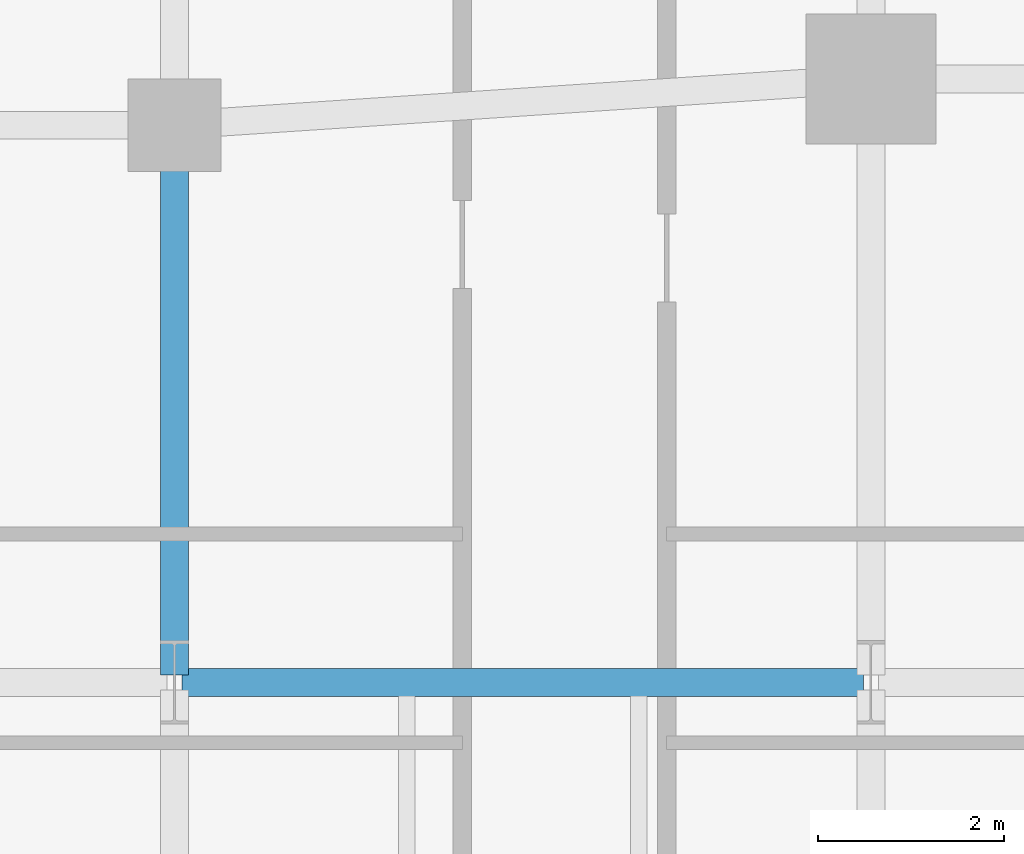
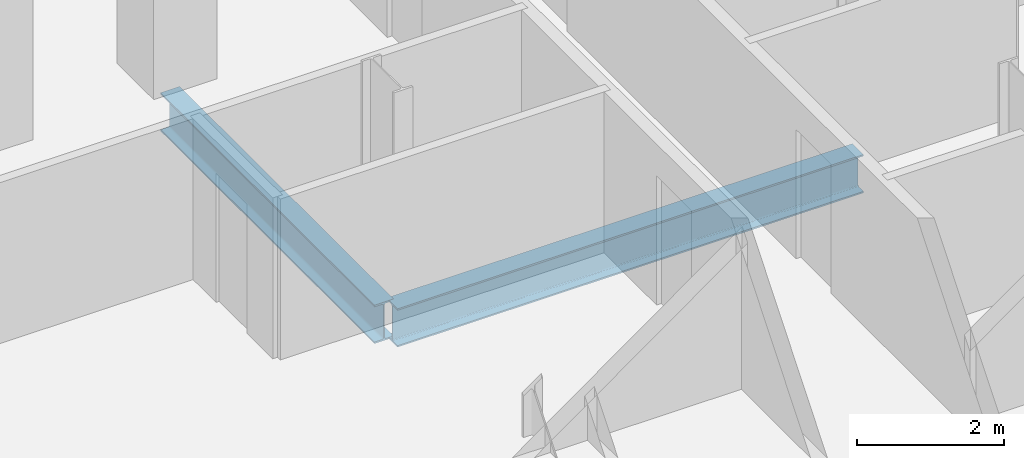
# One storey, part 9 of 32: 2 beams.
"""IFC4 building model written with IfcOpenShell, lengths in metres."""

import ifcopenshell
import ifcopenshell.guid

model = None  # the IFC model being written
_history = None  # IfcOwnerHistory: only IFC2X3 demands one
_inside = {}  # id of a spatial element -> (the spatial element, [elements in it])
_under = {}  # id of a project, library or spatial element -> (it, [spatial elements below it])
_declared = {}  # id of a project -> (the project, [libraries it declares])
_typed = {}  # id of a type object -> (the type object, [elements of that type])
_made_of = {}  # id of a material, layer set ... -> (it, [elements and type objects made of it])


def new_model(schema):
    """Start an empty IFC model of exactly this schema.

    Asked for "IFC4X3", IfcOpenShell would pick the latest addendum, in which some entities
    have other attributes; the version numbers below select the first issue.
    IFC2X3 requires an IfcOwnerHistory on every rooted entity: one is made here for all.
    """
    global model, _history
    if schema == "IFC4X3":
        model = ifcopenshell.file(schema_version=(4, 3, 0, 0))
    else:
        model = ifcopenshell.file(schema=schema)
    _inside.clear()
    _under.clear()
    _declared.clear()
    _typed.clear()
    _made_of.clear()
    _history = None
    if model.schema == "IFC2X3":
        org = make("IfcOrganization", Name="unknown")
        user = make(
            "IfcPersonAndOrganization",
            ThePerson=make("IfcPerson", FamilyName="unknown"),
            TheOrganization=org,
        )
        app = make(
            "IfcApplication",
            ApplicationDeveloper=org,
            Version="unknown",
            ApplicationFullName="unknown",
            ApplicationIdentifier="unknown",
        )
        _history = make(
            "IfcOwnerHistory",
            OwningUser=user,
            OwningApplication=app,
            ChangeAction="ADDED",
            CreationDate=0,
        )
    return model


def make(cls, **values):
    """One entity of the class cls with the attributes given. An attribute that is None is left unset."""
    return model.create_entity(
        cls, **{name: value for name, value in values.items() if value is not None}
    )


def rooted(cls, **values):
    """An entity with a GlobalId (a new one), such as an element, a storey or a relation."""
    return make(cls, GlobalId=ifcopenshell.guid.new(), OwnerHistory=_history, **values)


def si_unit(unit_type, name, prefix=None):
    """IfcSIUnit, for example si_unit("LENGTHUNIT", "METRE", prefix="MILLI")."""
    return make("IfcSIUnit", UnitType=unit_type, Prefix=prefix, Name=name)


def assignment(units):
    """IfcUnitAssignment: the units of a project."""
    return None if units is None else make("IfcUnitAssignment", Units=units)


def point(xyz):
    """IfcCartesianPoint."""
    return None if xyz is None else make("IfcCartesianPoint", Coordinates=xyz)


def direction(xyz):
    """IfcDirection."""
    return None if xyz is None else make("IfcDirection", DirectionRatios=xyz)


def frame(location, z_axis=None, x_axis=None):
    """IfcAxis2Placement3D, a coordinate frame: its origin and axes. An axis left out is left unset."""
    return make(
        "IfcAxis2Placement3D",
        Location=point(location),
        Axis=direction(z_axis),
        RefDirection=direction(x_axis),
    )


def frame_2d(location, x_axis=None):
    """IfcAxis2Placement2D, a coordinate frame in the plane: its origin and x axis."""
    return make(
        "IfcAxis2Placement2D", Location=point(location), RefDirection=direction(x_axis)
    )


def origin():
    """The frame at (0, 0, 0) with its axes left unset."""
    return frame((0.0, 0.0, 0.0))


def origin_2d():
    """The frame at (0, 0) in the plane with its x axis left unset."""
    return frame_2d((0.0, 0.0))


def place(relative_to, where):
    """IfcLocalPlacement: puts the frame where relative to a parent placement (None: the world)."""
    return make(
        "IfcLocalPlacement", PlacementRelTo=relative_to, RelativePlacement=where
    )


def context(
    kind, dimensions, precision=None, world=None, true_north=None, identifier=None
):
    """IfcGeometricRepresentationContext, for example the 3D "Model" context."""
    return make(
        "IfcGeometricRepresentationContext",
        ContextIdentifier=identifier,
        ContextType=kind,
        CoordinateSpaceDimension=dimensions,
        Precision=precision,
        WorldCoordinateSystem=world,
        TrueNorth=true_north,
    )


def subcontext(parent, identifier, kind, view, scale=None):
    """IfcGeometricRepresentationSubContext, for example "Body" below "Model"."""
    return make(
        "IfcGeometricRepresentationSubContext",
        ContextIdentifier=identifier,
        ContextType=kind,
        ParentContext=parent,
        TargetScale=scale,
        TargetView=view,
    )


def project(units=None, contexts=None):
    """IfcProject with its units and contexts."""
    return rooted(
        "IfcProject",
        Name="project",
        RepresentationContexts=contexts,
        UnitsInContext=assignment(units),
    )


def spatial(cls, under=None, at=None, **own):
    """A site, building, storey or space (cls), placed at a placement, below another one or the project."""
    s = rooted(cls, ObjectPlacement=at, **own)
    if under is not None:
        _under.setdefault(under.id(), (under, []))[1].append(s)
    return s


def profile(cls, at=None, kind="AREA", **sizes):
    """A parametric profile (cls). Its sizes go by their IFC names, for example OverallWidth=200.0."""
    return make(cls, ProfileType=kind, Position=at, **sizes)


def i_section(**sizes):
    """IfcIShapeProfileDef."""
    return profile("IfcIShapeProfileDef", **sizes)


def extrude(swept, where, along, depth):
    """IfcExtrudedAreaSolid: the profile swept, set in the frame where, extruded along a direction by depth."""
    return make(
        "IfcExtrudedAreaSolid",
        SweptArea=swept,
        Position=where,
        ExtrudedDirection=direction(along),
        Depth=depth,
    )


def shape(context_of_items, identifier, shape_type, items):
    """IfcShapeRepresentation: the items that make up one representation, for example the "Body"."""
    return make(
        "IfcShapeRepresentation",
        ContextOfItems=context_of_items,
        RepresentationIdentifier=identifier,
        RepresentationType=shape_type,
        Items=items,
    )


def material(Name=None, Category=None):
    """IfcMaterial."""
    return make("IfcMaterial", Name=Name, Category=Category)


def material_profile(
    of_material, cross_section, Name=None, Category=None, Priority=None
):
    """IfcMaterialProfile: a cross section and its material."""
    return make(
        "IfcMaterialProfile",
        Name=Name,
        Material=of_material,
        Profile=cross_section,
        Priority=Priority,
        Category=Category,
    )


def profile_set(profiles, Name=None, composite=None):
    """IfcMaterialProfileSet."""
    return make(
        "IfcMaterialProfileSet",
        Name=Name,
        MaterialProfiles=profiles,
        CompositeProfile=composite,
    )


def made_of(thing, what):
    """Note that an element or type object is made of a material, layer set ...; save() writes the relation."""
    if what is not None:
        _made_of.setdefault(what.id(), (what, []))[1].append(thing)
    return thing


def type_object(cls, material=None, **own):
    """A type object (cls), such as IfcWallType, which elements share."""
    return made_of(rooted(cls, **own), material)


def element(
    cls,
    number,
    at=None,
    inside=None,
    cuts=None,
    type_object=None,
    material=None,
    context=None,
    identifier="Body",
    shape_type=None,
    held_by="IfcProductDefinitionShape",
    body=None,
    shapes=None,
    **own,
):
    """One element of the class cls, such as IfcWall. Its Tag is "e" and its number.

    at: its placement. inside: the storey or other place that contains it. cuts: it is an
    opening in that element (IfcRelVoidsElement). A single representation is given by context,
    identifier, shape_type and body (its items); several are given by shapes. held_by: the class
    of the entity that holds the representations. save() writes the other relations.
    """
    e = rooted(cls, Tag="e%d" % number, ObjectPlacement=at, **own)
    if body is not None:
        shapes = [shape(context, identifier, shape_type, body)]
    if shapes is not None:
        e.Representation = make(held_by, Representations=shapes)
    if inside is not None:
        _inside.setdefault(inside.id(), (inside, []))[1].append(e)
    if cuts is not None:
        rooted(
            "IfcRelVoidsElement", RelatingBuildingElement=cuts, RelatedOpeningElement=e
        )
    if type_object is not None:
        _typed.setdefault(type_object.id(), (type_object, []))[1].append(e)
    return made_of(e, material)


def aggregate(whole, parts):
    """IfcRelAggregates: a whole, such as a stair, and the parts it consists of."""
    return rooted("IfcRelAggregates", RelatingObject=whole, RelatedObjects=parts)


def save(model, path):
    """Write the relations noted so far, then the file.

    IfcRelAggregates (storeys below a building ...), IfcRelContainedInSpatialStructure (elements
    in a storey), IfcRelDefinesByType, IfcRelAssociatesMaterial and IfcRelDeclares: one each for
    every whole, place, type object, material and project.
    """
    for whole, parts in _under.values():
        aggregate(whole, parts)
    for where, things in _inside.values():
        rooted(
            "IfcRelContainedInSpatialStructure",
            RelatedElements=things,
            RelatingStructure=where,
        )
    for kind, things in _typed.values():
        rooted("IfcRelDefinesByType", RelatedObjects=things, RelatingType=kind)
    for what, things in _made_of.values():
        rooted("IfcRelAssociatesMaterial", RelatedObjects=things, RelatingMaterial=what)
    for by, libraries in _declared.values():
        rooted("IfcRelDeclares", RelatingContext=by, RelatedDefinitions=libraries)
    model.write(path)


model = new_model("IFC4")

# Units and contexts
model_context = context("Model", 3, precision=1e-05, world=origin(), true_north=direction((0.0, 1.0)))
body_context = subcontext(model_context, "Body", "Model", "MODEL_VIEW")
ifc_project = project(units=[si_unit("LENGTHUNIT", "METRE"), si_unit("AREAUNIT", "SQUARE_METRE"), si_unit("VOLUMEUNIT", "CUBIC_METRE"), si_unit("PLANEANGLEUNIT", "RADIAN"), si_unit("MASSUNIT", "GRAM", prefix="KILO")], contexts=[model_context])

# Site, building, storey
site_placement = place(None, origin())
site = spatial("IfcSite", under=ifc_project, at=site_placement, CompositionType="ELEMENT")
building_placement = place(site_placement, origin())
building = spatial("IfcBuilding", under=site, at=building_placement, Name="Catumbela Crestline Tower", CompositionType="ELEMENT")
storey_placement = place(building_placement, frame((0.0, 0.0, 33.0)))
storey = spatial("IfcBuildingStorey", under=building, at=storey_placement, Name="L07", CompositionType="ELEMENT", Elevation=33.0)

# Beams
ifc_material = material(Name="Structural steel S355J2", Category="steel")
ifc_material_profile = material_profile(ifc_material, i_section(OverallWidth=0.3, OverallDepth=0.64, WebThickness=0.0135, FlangeThickness=0.026, FilletRadius=0.027, at=origin_2d()), Name="HEA 650")
ifc_profile_set = profile_set([ifc_material_profile], Name="Structural steel S355J2")
beam_type = type_object("IfcBeamType", Name="BG-HEA650", PredefinedType="BEAM", material=ifc_profile_set)
beam_1_placement = place(storey_placement, frame((8.58, 18.0, -0.58), z_axis=(1.0, 0.0, 0.0), x_axis=(0.0, 1.0, 0.0)))
element("IfcBeam", 1, at=beam_1_placement, inside=storey, type_object=beam_type, Name="L07 Beam BM-L07-WEW55", PredefinedType="BEAM", context=body_context, shape_type="SweptSolid", body=[
    extrude(i_section(OverallWidth=0.3, OverallDepth=0.64, WebThickness=0.0135, FlangeThickness=0.026, FilletRadius=0.027, at=origin_2d()), origin(), (0.0, 0.0, 1.0), 7.34),
])
beam_2_placement = place(storey_placement, frame((8.5, 18.08, -0.58), z_axis=(0.0, 1.0, 0.0), x_axis=(-1.0, 0.0, 0.0)))
element("IfcBeam", 2, at=beam_2_placement, inside=storey, type_object=beam_type, Name="L07 Beam BM-L07-WNS63", PredefinedType="BEAM", context=body_context, shape_type="SweptSolid", body=[
    extrude(i_section(OverallWidth=0.3, OverallDepth=0.64, WebThickness=0.0135, FlangeThickness=0.026, FilletRadius=0.027, at=origin_2d()), origin(), (0.0, 0.0, 1.0), 5.84),
])

save(model, "model.ifc")
